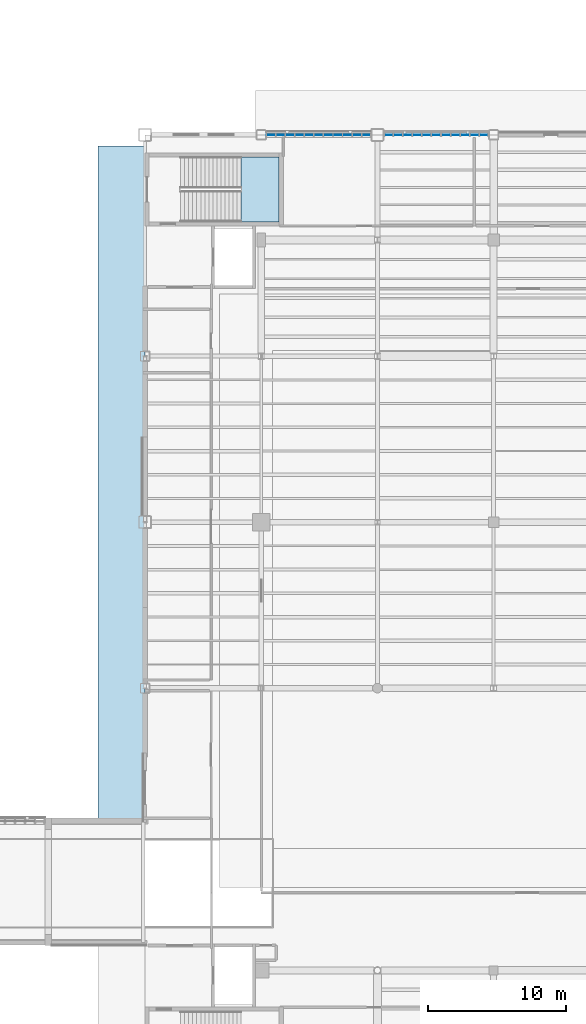
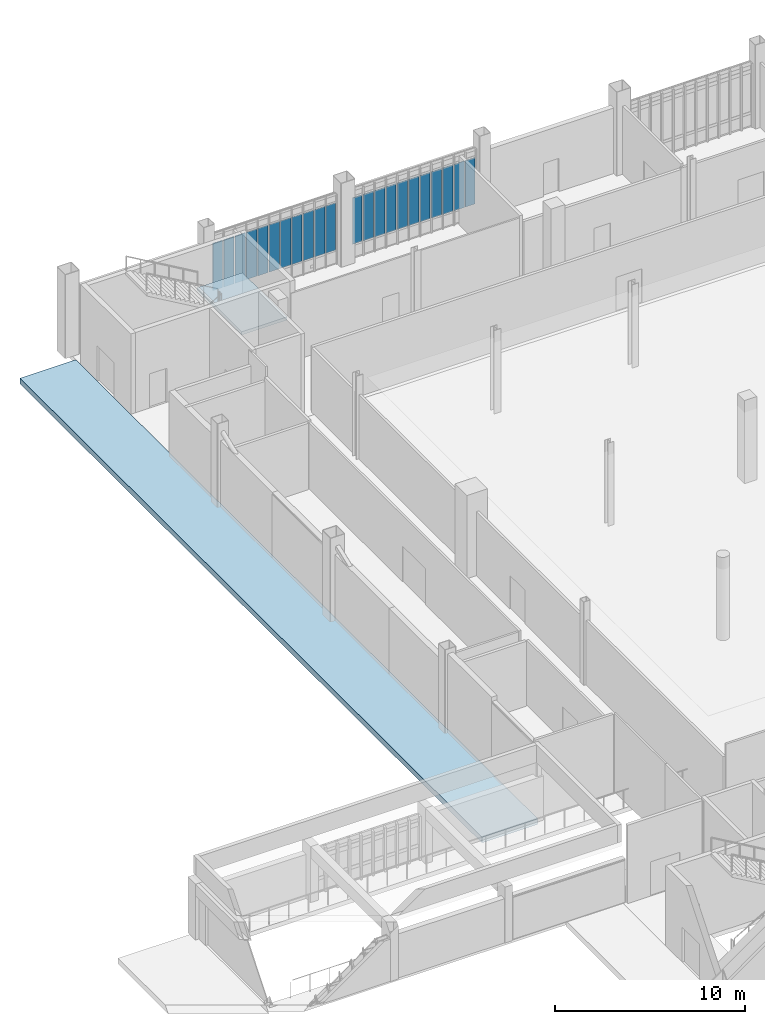
# One storey, part 62 of 111: 22 plates, 2 slabs, 3 elements without a shape of their own.
"""IFC4 building model written with IfcOpenShell, lengths in metres."""

from ifc_helpers import new_model, si_unit, direction, frame, origin, origin_2d, place, context, subcontext, project, spatial, polyline, rectangle, outline, extrude, material, layer, layer_set, type_object, element, aggregate, save


model = new_model("IFC4")

# Units and contexts
model_context = context("Model", 3, precision=1e-05, world=origin(), true_north=direction((0.0, 1.0)))
body_context = subcontext(model_context, "Body", "Model", "MODEL_VIEW")
ifc_project = project(units=[si_unit("LENGTHUNIT", "METRE"), si_unit("AREAUNIT", "SQUARE_METRE"), si_unit("VOLUMEUNIT", "CUBIC_METRE"), si_unit("PLANEANGLEUNIT", "RADIAN"), si_unit("MASSUNIT", "GRAM", prefix="KILO")], contexts=[model_context])

# Site, building, storey
site_placement = place(None, origin())
site = spatial("IfcSite", under=ifc_project, at=site_placement, CompositionType="ELEMENT")
building_placement = place(site_placement, origin())
building = spatial("IfcBuilding", under=site, at=building_placement, Name="Larkvane Passage Sports Hall", CompositionType="ELEMENT")
storey_placement = place(building_placement, origin())
storey = spatial("IfcBuildingStorey", under=building, at=storey_placement, Name="L00", CompositionType="ELEMENT", Elevation=0.0)

# Curtain wall, plates
ifc_material_1 = material(Name="Thermally broken aluminium and low-E glazing", Category="aluminium")
curtain_wall_type_1 = type_object("IfcCurtainWallType", Name="CW-UNIT-COURT", PredefinedType="USERDEFINED", material=ifc_material_1)
curtain_wall_1_placement = place(storey_placement, origin())
curtain_wall_1 = element("IfcCurtainWall", 1, at=curtain_wall_1_placement, inside=storey, type_object=curtain_wall_type_1, Name="Curtain wall CW5-L00-008", ObjectType="UNITISED CURTAIN WALL", PredefinedType="USERDEFINED")
ifc_material_2 = material(Name="Solar-control low-E double glazing", Category="glass")
ifc_layer_1 = layer(ifc_material_2, 0.028076171875)
ifc_layer_set_1 = layer_set([ifc_layer_1], Name="Solar-control low-E double glazing")
plate_type_1 = type_object("IfcPlateType", Name="CWP-VIS-28", PredefinedType="CURTAIN_PANEL", material=ifc_layer_set_1)
plate_1_placement = place(storey_placement, frame((43.907958984375, 91.60009765625, 0.88232421875), z_axis=(0.0, 0.0, 1.0), x_axis=(1.0, 0.0, 0.0)))
plate_1 = element("IfcPlate", 2, at=plate_1_placement, type_object=plate_type_1, Name="CW-01 panel 1.2", PredefinedType="CURTAIN_PANEL", context=body_context, shape_type="SweptSolid", body=[
    extrude(rectangle(XDim=0.59423828125, YDim=0.028076171875, at=origin_2d()), origin(), (0.0, 0.0, 1.0), 3.052978515625),
])
plate_2_placement = place(storey_placement, frame((44.58349609375, 91.60009765625, 0.88232421875), z_axis=(0.0, 0.0, 1.0), x_axis=(1.0, 0.0, 0.0)))
plate_2 = element("IfcPlate", 3, at=plate_2_placement, type_object=plate_type_1, Name="CW-01 panel 2.2", PredefinedType="CURTAIN_PANEL", context=body_context, shape_type="SweptSolid", body=[
    extrude(rectangle(XDim=0.626708984375, YDim=0.028076171875, at=origin_2d()), origin(), (0.0, 0.0, 1.0), 3.052978515625),
])
plate_3_placement = place(storey_placement, frame((45.275146484375, 91.60009765625, 0.88232421875), z_axis=(0.0, 0.0, 1.0), x_axis=(1.0, 0.0, 0.0)))
plate_3 = element("IfcPlate", 4, at=plate_3_placement, type_object=plate_type_1, Name="CW-01 panel 3.2", PredefinedType="CURTAIN_PANEL", context=body_context, shape_type="SweptSolid", body=[
    extrude(rectangle(XDim=0.626708984375, YDim=0.028076171875, at=origin_2d()), origin(), (0.0, 0.0, 1.0), 3.052978515625),
])
plate_4_placement = place(storey_placement, frame((45.966796875, 91.60009765625, 0.88232421875), z_axis=(0.0, 0.0, 1.0), x_axis=(1.0, 0.0, 0.0)))
plate_4 = element("IfcPlate", 5, at=plate_4_placement, type_object=plate_type_1, Name="CW-01 panel 4.2", PredefinedType="CURTAIN_PANEL", context=body_context, shape_type="SweptSolid", body=[
    extrude(rectangle(XDim=0.626708984375, YDim=0.028076171875, at=origin_2d()), origin(), (0.0, 0.0, 1.0), 3.052978515625),
])
plate_5_placement = place(storey_placement, frame((46.658447265625, 91.60009765625, 0.88232421875), z_axis=(0.0, 0.0, 1.0), x_axis=(1.0, 0.0, 0.0)))
plate_5 = element("IfcPlate", 6, at=plate_5_placement, type_object=plate_type_1, Name="CW-01 panel 5.2", PredefinedType="CURTAIN_PANEL", context=body_context, shape_type="SweptSolid", body=[
    extrude(rectangle(XDim=0.626708984375, YDim=0.028076171875, at=origin_2d()), origin(), (0.0, 0.0, 1.0), 3.052978515625),
])
plate_6_placement = place(storey_placement, frame((47.35009765625, 91.60009765625, 0.88232421875), z_axis=(0.0, 0.0, 1.0), x_axis=(1.0, 0.0, 0.0)))
plate_6 = element("IfcPlate", 7, at=plate_6_placement, type_object=plate_type_1, Name="CW-01 panel 6.2", PredefinedType="CURTAIN_PANEL", context=body_context, shape_type="SweptSolid", body=[
    extrude(rectangle(XDim=0.626708984375, YDim=0.028076171875, at=origin_2d()), origin(), (0.0, 0.0, 1.0), 3.052978515625),
])
plate_7_placement = place(storey_placement, frame((48.041748046875, 91.60009765625, 0.88232421875), z_axis=(0.0, 0.0, 1.0), x_axis=(1.0, 0.0, 0.0)))
plate_7 = element("IfcPlate", 8, at=plate_7_placement, type_object=plate_type_1, Name="CW-01 panel 7.2", PredefinedType="CURTAIN_PANEL", context=body_context, shape_type="SweptSolid", body=[
    extrude(rectangle(XDim=0.626708984375, YDim=0.028076171875, at=origin_2d()), origin(), (0.0, 0.0, 1.0), 3.052978515625),
])
plate_8_placement = place(storey_placement, frame((48.733154296875, 91.60009765625, 0.88232421875), z_axis=(0.0, 0.0, 1.0), x_axis=(1.0, 0.0, 0.0)))
plate_8 = element("IfcPlate", 9, at=plate_8_placement, type_object=plate_type_1, Name="CW-01 panel 8.2", PredefinedType="CURTAIN_PANEL", context=body_context, shape_type="SweptSolid", body=[
    extrude(rectangle(XDim=0.626708984375, YDim=0.028076171875, at=origin_2d()), origin(), (0.0, 0.0, 1.0), 3.052978515625),
])
plate_9_placement = place(storey_placement, frame((49.4248046875, 91.60009765625, 0.88232421875), z_axis=(0.0, 0.0, 1.0), x_axis=(1.0, 0.0, 0.0)))
plate_9 = element("IfcPlate", 10, at=plate_9_placement, type_object=plate_type_1, Name="CW-01 panel 9.2", PredefinedType="CURTAIN_PANEL", context=body_context, shape_type="SweptSolid", body=[
    extrude(rectangle(XDim=0.626708984375, YDim=0.028076171875, at=origin_2d()), origin(), (0.0, 0.0, 1.0), 3.052978515625),
])
plate_10_placement = place(storey_placement, frame((50.116455078125, 91.60009765625, 0.88232421875), z_axis=(0.0, 0.0, 1.0), x_axis=(1.0, 0.0, 0.0)))
plate_10 = element("IfcPlate", 11, at=plate_10_placement, type_object=plate_type_1, Name="CW-01 panel 10.2", PredefinedType="CURTAIN_PANEL", context=body_context, shape_type="SweptSolid", body=[
    extrude(rectangle(XDim=0.626708984375, YDim=0.028076171875, at=origin_2d()), origin(), (0.0, 0.0, 1.0), 3.052978515625),
])
plate_11_placement = place(storey_placement, frame((50.7919921875, 91.60009765625, 0.88232421875), z_axis=(0.0, 0.0, 1.0), x_axis=(1.0, 0.0, 0.0)))
plate_11 = element("IfcPlate", 12, at=plate_11_placement, type_object=plate_type_1, Name="CW-01 panel 11.2", PredefinedType="CURTAIN_PANEL", context=body_context, shape_type="SweptSolid", body=[
    extrude(rectangle(XDim=0.59423828125, YDim=0.028076171875, at=origin_2d()), origin(), (0.0, 0.0, 1.0), 3.052978515625),
])
aggregate(curtain_wall_1, [plate_1, plate_2, plate_3, plate_4, plate_5, plate_6, plate_7, plate_8, plate_9, plate_10, plate_11])

curtain_wall_type_2 = type_object("IfcCurtainWallType", Name="CW-UNIT-VEIL", PredefinedType="USERDEFINED", material=ifc_material_1)
curtain_wall_2_placement = place(storey_placement, origin())
curtain_wall_2 = element("IfcCurtainWall", 13, at=curtain_wall_2_placement, inside=storey, type_object=curtain_wall_type_2, Name="Curtain wall CW5-L00-009", ObjectType="UNITISED CURTAIN WALL", PredefinedType="USERDEFINED")
ifc_material_3 = material(Name="Laminated acoustic low-E glazing", Category="glass")
ifc_layer_2 = layer(ifc_material_3, 0.031982421875)
ifc_layer_set_2 = layer_set([ifc_layer_2], Name="Laminated acoustic low-E glazing")
plate_type_2 = type_object("IfcPlateType", Name="CWP-VIS-32", PredefinedType="CURTAIN_PANEL", material=ifc_layer_set_2)
plate_12_placement = place(storey_placement, frame((52.41064453125, 91.60009765625, 0.8876953125), z_axis=(0.0, 0.0, 1.0), x_axis=(1.0, 0.0, 0.0)))
plate_12 = element("IfcPlate", 14, at=plate_12_placement, type_object=plate_type_2, Name="CW-02 panel 1.2", PredefinedType="CURTAIN_PANEL", context=body_context, shape_type="SweptSolid", body=[
    extrude(rectangle(XDim=0.5791015625, YDim=0.031982421875, at=origin_2d()), origin(), (0.0, 0.0, 1.0), 2.992919921875),
])
plate_13_placement = place(storey_placement, frame((53.08349609375, 91.60009765625, 0.8876953125), z_axis=(0.0, 0.0, 1.0), x_axis=(1.0, 0.0, 0.0)))
plate_13 = element("IfcPlate", 15, at=plate_13_placement, type_object=plate_type_2, Name="CW-02 panel 2.2", PredefinedType="CURTAIN_PANEL", context=body_context, shape_type="SweptSolid", body=[
    extrude(rectangle(XDim=0.61669921875, YDim=0.031982421875, at=origin_2d()), origin(), (0.0, 0.0, 1.0), 2.992919921875),
])
plate_14_placement = place(storey_placement, frame((53.775146484375, 91.60009765625, 0.8876953125), z_axis=(0.0, 0.0, 1.0), x_axis=(1.0, 0.0, 0.0)))
plate_14 = element("IfcPlate", 16, at=plate_14_placement, type_object=plate_type_2, Name="CW-02 panel 3.2", PredefinedType="CURTAIN_PANEL", context=body_context, shape_type="SweptSolid", body=[
    extrude(rectangle(XDim=0.61669921875, YDim=0.031982421875, at=origin_2d()), origin(), (0.0, 0.0, 1.0), 2.992919921875),
])
plate_15_placement = place(storey_placement, frame((54.466796875, 91.60009765625, 0.8876953125), z_axis=(0.0, 0.0, 1.0), x_axis=(1.0, 0.0, 0.0)))
plate_15 = element("IfcPlate", 17, at=plate_15_placement, type_object=plate_type_2, Name="CW-02 panel 4.2", PredefinedType="CURTAIN_PANEL", context=body_context, shape_type="SweptSolid", body=[
    extrude(rectangle(XDim=0.61669921875, YDim=0.031982421875, at=origin_2d()), origin(), (0.0, 0.0, 1.0), 2.992919921875),
])
plate_16_placement = place(storey_placement, frame((55.158447265625, 91.60009765625, 0.8876953125), z_axis=(0.0, 0.0, 1.0), x_axis=(1.0, 0.0, 0.0)))
plate_16 = element("IfcPlate", 18, at=plate_16_placement, type_object=plate_type_2, Name="CW-02 panel 5.2", PredefinedType="CURTAIN_PANEL", context=body_context, shape_type="SweptSolid", body=[
    extrude(rectangle(XDim=0.61669921875, YDim=0.031982421875, at=origin_2d()), origin(), (0.0, 0.0, 1.0), 2.992919921875),
])
plate_17_placement = place(storey_placement, frame((55.85009765625, 91.60009765625, 0.8876953125), z_axis=(0.0, 0.0, 1.0), x_axis=(1.0, 0.0, 0.0)))
plate_17 = element("IfcPlate", 19, at=plate_17_placement, type_object=plate_type_2, Name="CW-02 panel 6.2", PredefinedType="CURTAIN_PANEL", context=body_context, shape_type="SweptSolid", body=[
    extrude(rectangle(XDim=0.61669921875, YDim=0.031982421875, at=origin_2d()), origin(), (0.0, 0.0, 1.0), 2.992919921875),
])
plate_18_placement = place(storey_placement, frame((56.541748046875, 91.60009765625, 0.8876953125), z_axis=(0.0, 0.0, 1.0), x_axis=(1.0, 0.0, 0.0)))
plate_18 = element("IfcPlate", 20, at=plate_18_placement, type_object=plate_type_2, Name="CW-02 panel 7.2", PredefinedType="CURTAIN_PANEL", context=body_context, shape_type="SweptSolid", body=[
    extrude(rectangle(XDim=0.61669921875, YDim=0.031982421875, at=origin_2d()), origin(), (0.0, 0.0, 1.0), 2.992919921875),
])
plate_19_placement = place(storey_placement, frame((57.233154296875, 91.60009765625, 0.8876953125), z_axis=(0.0, 0.0, 1.0), x_axis=(1.0, 0.0, 0.0)))
plate_19 = element("IfcPlate", 21, at=plate_19_placement, type_object=plate_type_2, Name="CW-02 panel 8.2", PredefinedType="CURTAIN_PANEL", context=body_context, shape_type="SweptSolid", body=[
    extrude(rectangle(XDim=0.61669921875, YDim=0.031982421875, at=origin_2d()), origin(), (0.0, 0.0, 1.0), 2.992919921875),
])
plate_20_placement = place(storey_placement, frame((57.9248046875, 91.60009765625, 0.8876953125), z_axis=(0.0, 0.0, 1.0), x_axis=(1.0, 0.0, 0.0)))
plate_20 = element("IfcPlate", 22, at=plate_20_placement, type_object=plate_type_2, Name="CW-02 panel 9.2", PredefinedType="CURTAIN_PANEL", context=body_context, shape_type="SweptSolid", body=[
    extrude(rectangle(XDim=0.61669921875, YDim=0.031982421875, at=origin_2d()), origin(), (0.0, 0.0, 1.0), 2.992919921875),
])
plate_21_placement = place(storey_placement, frame((58.616455078125, 91.60009765625, 0.8876953125), z_axis=(0.0, 0.0, 1.0), x_axis=(1.0, 0.0, 0.0)))
plate_21 = element("IfcPlate", 23, at=plate_21_placement, type_object=plate_type_2, Name="CW-02 panel 10.2", PredefinedType="CURTAIN_PANEL", context=body_context, shape_type="SweptSolid", body=[
    extrude(rectangle(XDim=0.61669921875, YDim=0.031982421875, at=origin_2d()), origin(), (0.0, 0.0, 1.0), 2.992919921875),
])
plate_22_placement = place(storey_placement, frame((59.28955078125, 91.60009765625, 0.8876953125), z_axis=(0.0, 0.0, 1.0), x_axis=(1.0, 0.0, 0.0)))
plate_22 = element("IfcPlate", 24, at=plate_22_placement, type_object=plate_type_2, Name="CW-02 panel 11.2", PredefinedType="CURTAIN_PANEL", context=body_context, shape_type="SweptSolid", body=[
    extrude(rectangle(XDim=0.5791015625, YDim=0.031982421875, at=origin_2d()), origin(), (0.0, 0.0, 1.0), 2.992919921875),
])
aggregate(curtain_wall_2, [plate_12, plate_13, plate_14, plate_15, plate_16, plate_17, plate_18, plate_19, plate_20, plate_21, plate_22])

# Stair, slab
ifc_material_4 = material(Name="Concrete C40/50", Category="concrete")
stair_type = type_object("IfcStairType", Name="STR-CORE-2250", PredefinedType="HALF_TURN_STAIR", material=ifc_material_4)
stair_placement = place(storey_placement, origin())
stair = element("IfcStair", 25, at=stair_placement, inside=storey, type_object=stair_type, Name="L00 Protected exit stair ST-02", PredefinedType="HALF_TURN_STAIR")
ifc_layer_3 = layer(ifc_material_4, 0.199951171875)
ifc_layer_set_3 = layer_set([ifc_layer_3], Name="Concrete C40/50")
slab_type_1 = type_object("IfcSlabType", Name="SLB-LAND-200", PredefinedType="LANDING", material=ifc_layer_set_3)
slab_1_placement = place(storey_placement, frame((0.0, 0.0, 2.5)))
slab_1 = element("IfcSlab", 26, at=slab_1_placement, type_object=slab_type_1, Name="ST-02 landing 1", PredefinedType="LANDING", context=body_context, shape_type="SweptSolid", body=[
    extrude(outline(polyline([(41.72998046875, 85.300048828125), (44.5, 85.300048828125), (44.5, 90.0), (41.72998046875, 90.0), (41.72998046875, 85.300048828125)])), origin(), (0.0, 0.0, 1.0), 0.199951171875),
])
aggregate(stair, [slab_1])

# Slab
ifc_layer_4 = layer(ifc_material_4, 0.3701171875)
ifc_layer_set_4 = layer_set([ifc_layer_4], Name="Concrete C40/50")
slab_type_2 = type_object("IfcSlabType", Name="SLB-TER-215", PredefinedType="FLOOR", material=ifc_layer_set_4)
slab_2_placement = place(storey_placement, frame((0.0, 0.0, -0.3701171875)))
element("IfcSlab", 27, at=slab_2_placement, inside=storey, type_object=slab_type_2, Name="Exterior terrace deck SLAB-EXT-L00-WEST-N", PredefinedType="FLOOR", context=body_context, shape_type="SweptSolid", body=[
    extrude(outline(polyline([(31.39990234375, 42.050048828125), (34.800048828125, 42.050048828125), (34.800048828125, 90.800048828125), (31.39990234375, 90.800048828125), (31.39990234375, 42.050048828125)])), origin(), (0.0, 0.0, 1.0), 0.3701171875),
])

save(model, "model.ifc")
